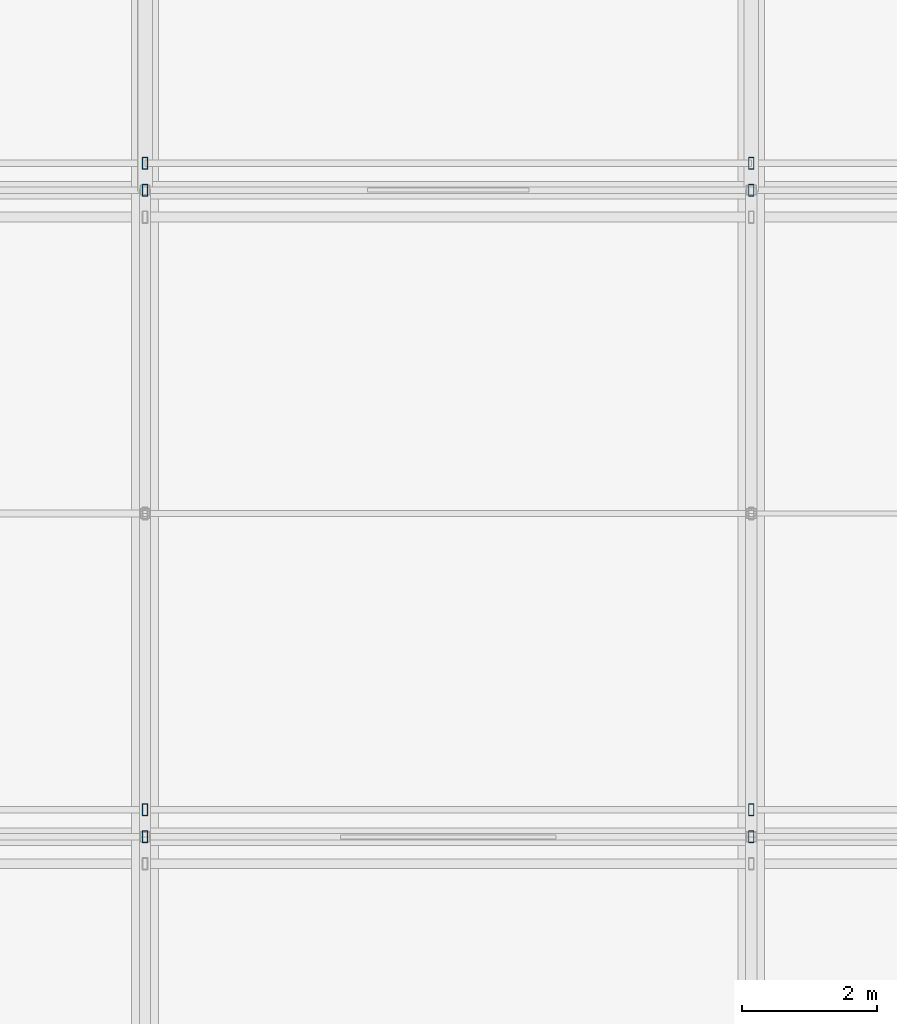
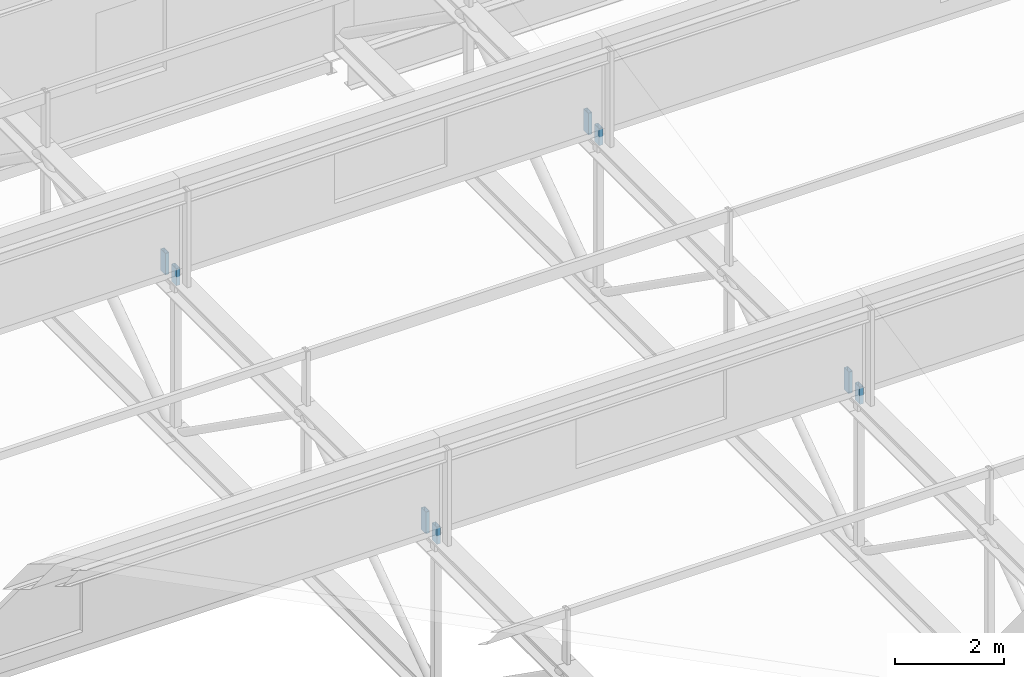
# One storey, part 86 of 136: 8 members.
"""IFC4 building model written with IfcOpenShell, lengths in metres."""

from ifc_helpers import new_model, si_unit, direction, frame, origin, origin_2d, place, context, subcontext, project, spatial, hollow_rectangle, extrude, material, material_profile, profile_set, type_object, element, save


model = new_model("IFC4")

# Units and contexts
model_context = context("Model", 3, precision=1e-05, world=origin(), true_north=direction((0.0, 1.0)))
body_context = subcontext(model_context, "Body", "Model", "MODEL_VIEW")
ifc_project = project(units=[si_unit("LENGTHUNIT", "METRE"), si_unit("AREAUNIT", "SQUARE_METRE"), si_unit("VOLUMEUNIT", "CUBIC_METRE"), si_unit("PLANEANGLEUNIT", "RADIAN"), si_unit("MASSUNIT", "GRAM", prefix="KILO")], contexts=[model_context])

# Site, building, storey
site_placement = place(None, origin())
site = spatial("IfcSite", under=ifc_project, at=site_placement, CompositionType="ELEMENT")
building_placement = place(site_placement, origin())
building = spatial("IfcBuilding", under=site, at=building_placement, Name="Kisiwana Market Hall", CompositionType="ELEMENT")
storey_placement = place(building_placement, frame((0.0, 0.0, 16.800048828125)))
storey = spatial("IfcBuildingStorey", under=building, at=storey_placement, Name="L03", CompositionType="ELEMENT", Elevation=16.800048828125)

# Members
ifc_material = material(Name="Steel S355", Category="steel")
ifc_material_profile = material_profile(ifc_material, hollow_rectangle(XDim=0.080078125, YDim=0.179931640625, WallThickness=0.00634765625, at=origin_2d()), Name="RHS 180x80x6.3")
ifc_profile_set = profile_set([ifc_material_profile], Name="Steel S355")
member_type = type_object("IfcMemberType", Name="MB-CAN-STRUT", PredefinedType="STRUT", material=ifc_profile_set)
for number, where, z_axis, x_axis, name in (
    (1, (108.0, 64.800048828125, 3.619873046875), (0.0, 0.0, 1.0), (1.0, 0.0, 0.0), "Sawtooth raker post 257 M-0286"),
    (2, (117.0, 64.800048828125, 3.619873046875), (0.0, 0.0, 1.0), (1.0, 0.0, 0.0), "Sawtooth raker post 260 M-0289"),
):
    element("IfcMember", number, at=place(storey_placement, frame(where, z_axis=z_axis, x_axis=x_axis)), inside=storey, type_object=member_type, Name=name, PredefinedType="STRUT", context=body_context, shape_type="SweptSolid", body=[
        extrude(hollow_rectangle(XDim=0.080078125, YDim=0.179931640625, WallThickness=0.00634765625, at=origin_2d()), origin(), (0.0, 0.0, 1.0), 0.385009765625),
    ])
member_1_placement = place(storey_placement, frame((108.0, 65.199951171875, 3.619873046875), z_axis=(0.0, 0.0, 1.0), x_axis=(1.0, 0.0, 0.0)))
element("IfcMember", 3, at=member_1_placement, inside=storey, type_object=member_type, Name="Sawtooth raker post 300 M-0308", PredefinedType="STRUT", context=body_context, shape_type="SweptSolid", body=[
    extrude(hollow_rectangle(XDim=0.080078125, YDim=0.179931640625, WallThickness=0.00634765625, at=origin_2d()), origin(), (0.0, 0.0, 1.0), 0.485107421875),
])
member_2_placement = place(storey_placement, frame((108.0, 74.39990234375, 3.619873046875), z_axis=(0.0, 0.0, 1.0), x_axis=(1.0, 0.0, 0.0)))
element("IfcMember", 4, at=member_2_placement, inside=storey, type_object=member_type, Name="Sawtooth raker post 302 M-0310", PredefinedType="STRUT", context=body_context, shape_type="SweptSolid", body=[
    extrude(hollow_rectangle(XDim=0.080078125, YDim=0.179931640625, WallThickness=0.00634765625, at=origin_2d()), origin(), (0.0, 0.0, 1.0), 0.385009765625),
])
member_3_placement = place(storey_placement, frame((117.0, 65.199951171875, 3.619873046875), z_axis=(0.0, 0.0, 1.0), x_axis=(1.0, 0.0, 0.0)))
element("IfcMember", 5, at=member_3_placement, inside=storey, type_object=member_type, Name="Sawtooth raker post 303 M-0311", PredefinedType="STRUT", context=body_context, shape_type="SweptSolid", body=[
    extrude(hollow_rectangle(XDim=0.080078125, YDim=0.179931640625, WallThickness=0.00634765625, at=origin_2d()), origin(), (0.0, 0.0, 1.0), 0.485107421875),
])
member_4_placement = place(storey_placement, frame((117.0, 74.39990234375, 3.619873046875), z_axis=(0.0, 0.0, 1.0), x_axis=(1.0, 0.0, 0.0)))
element("IfcMember", 6, at=member_4_placement, inside=storey, type_object=member_type, Name="Sawtooth raker post 305 M-0313", PredefinedType="STRUT", context=body_context, shape_type="SweptSolid", body=[
    extrude(hollow_rectangle(XDim=0.080078125, YDim=0.179931640625, WallThickness=0.00634765625, at=origin_2d()), origin(), (0.0, 0.0, 1.0), 0.385009765625),
])
for number, where, z_axis, x_axis, name in (
    (7, (108.0, 74.800048828125, 3.619873046875), (0.0, 0.0, 1.0), (1.0, 0.0, 0.0), "Sawtooth raker post 341 M-0328"),
    (8, (117.0, 74.800048828125, 3.619873046875), (0.0, 0.0, 1.0), (1.0, 0.0, 0.0), "Sawtooth raker post 343 M-0330"),
):
    element("IfcMember", number, at=place(storey_placement, frame(where, z_axis=z_axis, x_axis=x_axis)), inside=storey, type_object=member_type, Name=name, PredefinedType="STRUT", context=body_context, shape_type="SweptSolid", body=[
        extrude(hollow_rectangle(XDim=0.080078125, YDim=0.179931640625, WallThickness=0.00634765625, at=origin_2d()), origin(), (0.0, 0.0, 1.0), 0.485107421875),
    ])

save(model, "model.ifc")
